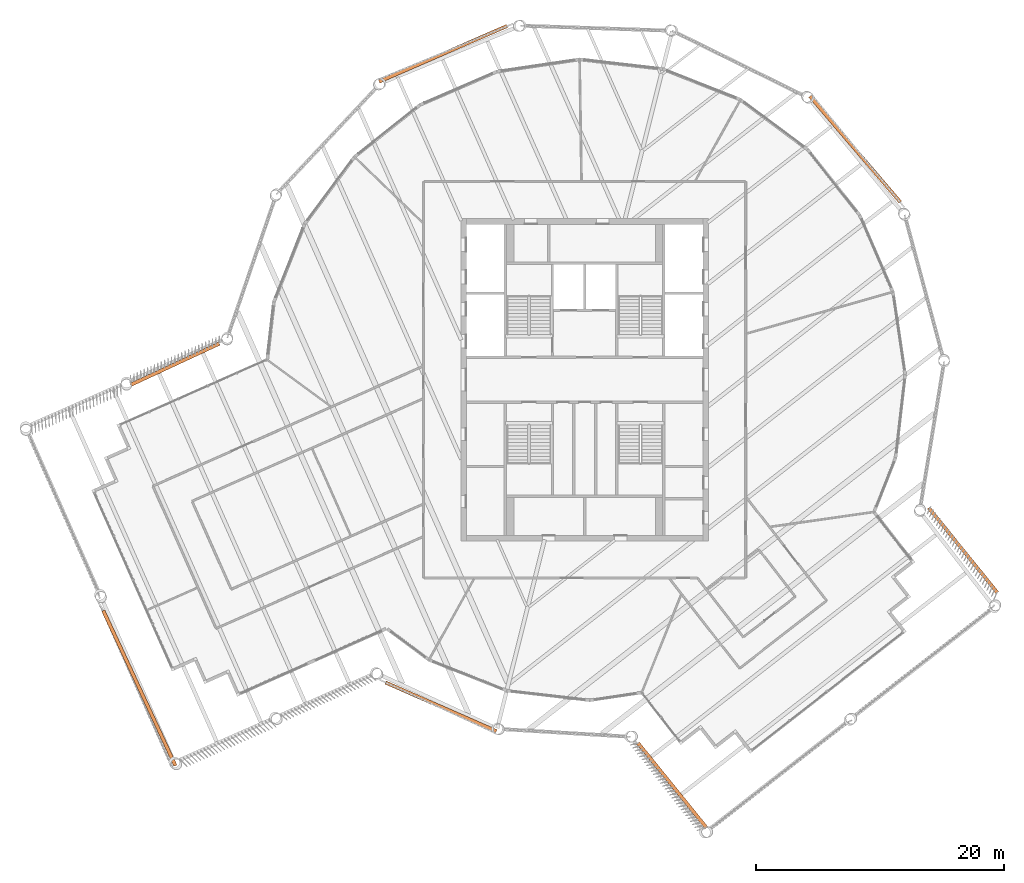
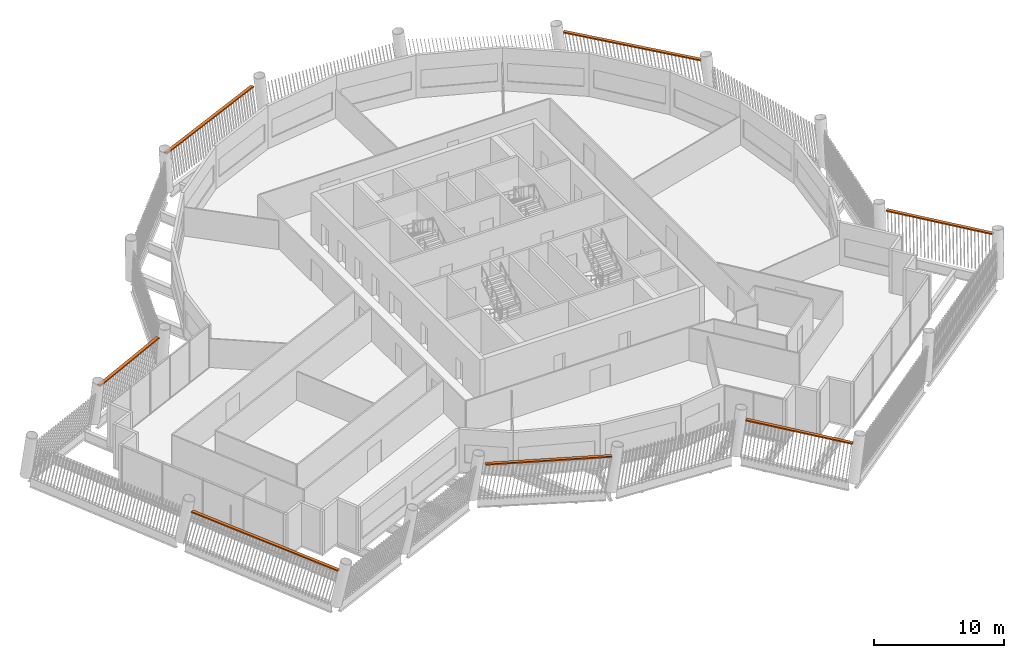
# One storey, part 28 of 28: 7 proxies.
"""IFC4 building model written with IfcOpenShell, lengths in metres."""

from ifc_helpers import new_model, si_unit, direction, frame, origin, origin_2d, place, context, subcontext, project, spatial, rectangle, extrude, material, type_object, element, save


model = new_model("IFC4")

# Units and contexts
model_context = context("Model", 3, precision=1e-05, world=origin(), true_north=direction((0.0, 1.0)))
body_context = subcontext(model_context, "Body", "Model", "MODEL_VIEW")
ifc_project = project(units=[si_unit("LENGTHUNIT", "METRE"), si_unit("AREAUNIT", "SQUARE_METRE"), si_unit("VOLUMEUNIT", "CUBIC_METRE"), si_unit("PLANEANGLEUNIT", "RADIAN"), si_unit("MASSUNIT", "GRAM", prefix="KILO")], contexts=[model_context])

# Site, building, storey
site_placement = place(None, origin())
site = spatial("IfcSite", under=ifc_project, at=site_placement, CompositionType="ELEMENT")
building_placement = place(site_placement, origin())
building = spatial("IfcBuilding", under=site, at=building_placement, Name="Tarsis Ring Headquarters", CompositionType="ELEMENT")
storey_placement = place(building_placement, frame((0.0, 0.0, 381.800048828125)))
storey = spatial("IfcBuildingStorey", under=building, at=storey_placement, Name="L90", CompositionType="ELEMENT", Elevation=381.800048828125)

# Proxies
ifc_material = material(Name="Structural steel S355", Category="steel")
building_element_proxy_type = type_object("IfcBuildingElementProxyType", Name="Screen bracket plate", PredefinedType="USERDEFINED", material=ifc_material)
for number, where, z_axis, x_axis, name in (
    (1, (7.0625, -32.738525390625, 3.2802734375), (0.0, 0.0, 1.0), (0.628777741786, -0.777585076654, 0.0), "Screen bracket L90-01"),
    (2, (30.53564453125, -13.757568359375, 3.2802734375), (0.0, 0.0, 1.0), (-0.628777687501, 0.77758512055, 0.0), "Screen bracket L90-04"),
):
    element("IfcBuildingElementProxy", number, at=place(storey_placement, frame(where, z_axis=z_axis, x_axis=x_axis)), inside=storey, type_object=building_element_proxy_type, Name=name, ObjectType="Bracket", PredefinedType="USERDEFINED", context=body_context, shape_type="SweptSolid", body=[
        extrude(rectangle(XDim=8.804443359375, YDim=0.28271484375, at=origin_2d()), origin(), (0.0, 0.0, 1.0), 0.1201171875),
    ])
for number, where, z_axis, x_axis, name in (
    (3, (21.8330078125, 18.61181640625, 3.2802734375), (0.0, 0.0, 1.0), (-0.648734587486, 0.76101474033, 0.0), "Screen bracket L90-07"),
    (4, (-11.427734375, 26.31494140625, 3.2802734375), (0.0, 0.0, 1.0), (-0.917242727161, -0.39832873292, 0.0), "Screen bracket L90-10"),
):
    element("IfcBuildingElementProxy", number, at=place(storey_placement, frame(where, z_axis=z_axis, x_axis=x_axis)), inside=storey, type_object=building_element_proxy_type, Name=name, ObjectType="Bracket", PredefinedType="USERDEFINED", context=body_context, shape_type="SweptSolid", body=[
        extrude(rectangle(XDim=11.248779296875, YDim=0.28271484375, at=origin_2d()), origin(), (0.0, 0.0, 1.0), 0.1201171875),
    ])
proxy_1_placement = place(storey_placement, frame((-33.065673828125, 1.2578125, 3.2802734375), z_axis=(0.0, 0.0, 1.0), x_axis=(-0.906602594627, -0.421985468252, 0.0)))
element("IfcBuildingElementProxy", 5, at=proxy_1_placement, inside=storey, type_object=building_element_proxy_type, Name="Screen bracket L90-13", ObjectType="Bracket", PredefinedType="USERDEFINED", context=body_context, shape_type="SweptSolid", body=[
    extrude(rectangle(XDim=7.90234375, YDim=0.28271484375, at=origin_2d()), origin(), (0.0, 0.0, 1.0), 0.1201171875),
])
proxy_2_placement = place(storey_placement, frame((-35.9462890625, -24.893798828125, 3.2802734375), z_axis=(0.0, 0.0, 1.0), x_axis=(0.421985420783, -0.906602616722, 0.0)))
element("IfcBuildingElementProxy", 6, at=proxy_2_placement, inside=storey, type_object=building_element_proxy_type, Name="Screen bracket L90-16", ObjectType="Bracket", PredefinedType="USERDEFINED", context=body_context, shape_type="SweptSolid", body=[
    extrude(rectangle(XDim=13.800048828125, YDim=0.28271484375, at=origin_2d()), origin(), (0.0, 0.0, 1.0), 0.1201171875),
])
proxy_3_placement = place(storey_placement, frame((-11.60302734375, -26.4013671875, 3.2802734375), z_axis=(0.0, 0.0, 1.0), x_axis=(0.915487249778, -0.402346983949, 0.0)))
element("IfcBuildingElementProxy", 7, at=proxy_3_placement, inside=storey, type_object=building_element_proxy_type, Name="Screen bracket L90-19", ObjectType="Bracket", PredefinedType="USERDEFINED", context=body_context, shape_type="SweptSolid", body=[
    extrude(rectangle(XDim=9.771728515625, YDim=0.28271484375, at=origin_2d()), origin(), (0.0, 0.0, 1.0), 0.1201171875),
])

save(model, "model.ifc")
